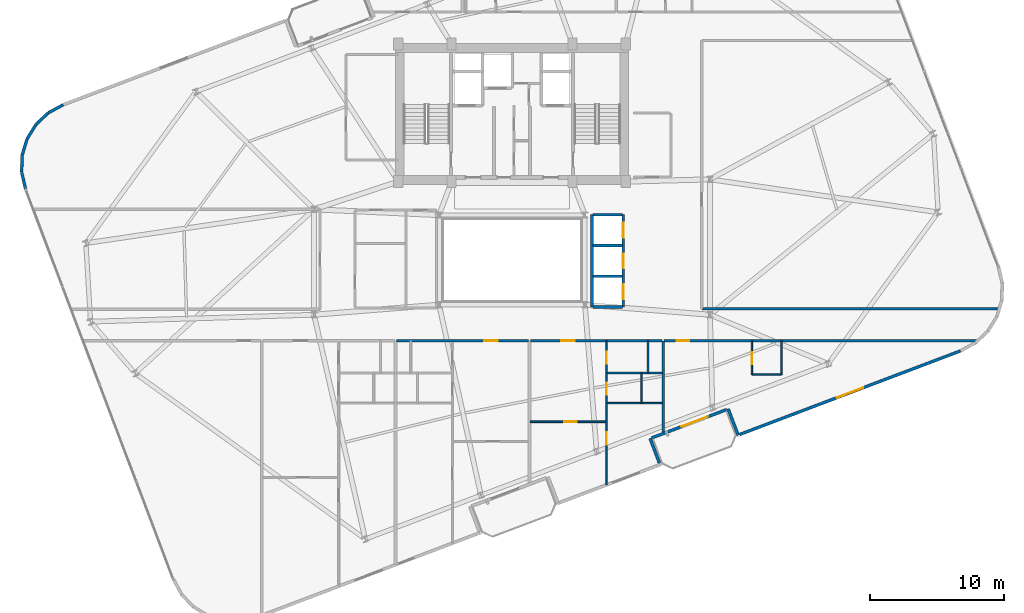
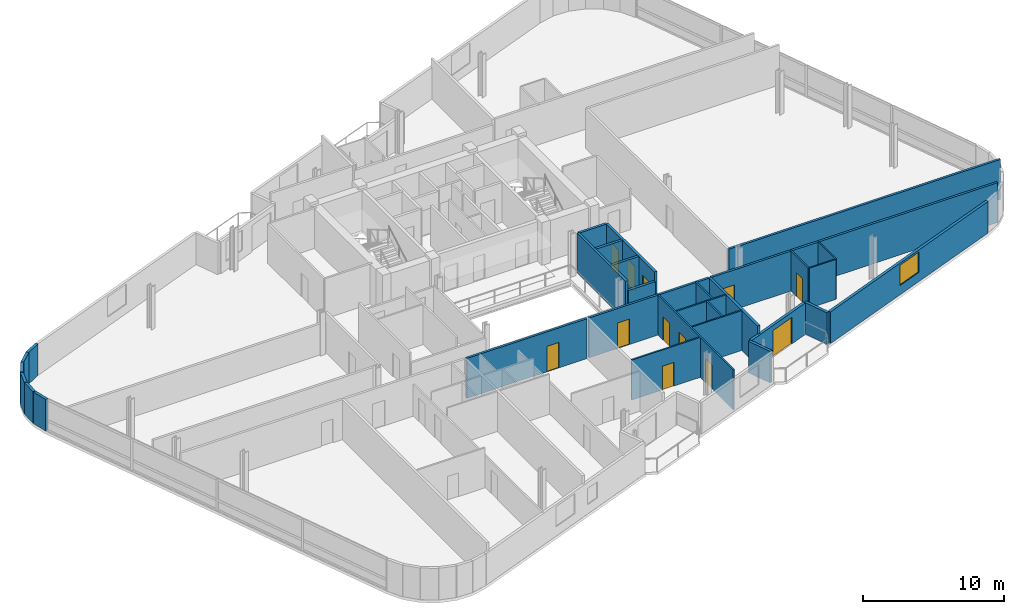
# One storey, part 15 of 20: 30 walls, 12 doors, 1 window, 13 openings.
"""IFC4 building model written with IfcOpenShell, lengths in metres."""

from ifc_helpers import new_model, si_unit, direction, frame, frame_2d, origin, place, context, subcontext, project, spatial, rectangle, extrude, material, layer, layer_set, type_object, element, fill, save


model = new_model("IFC4")

# Units and contexts
model_context = context("Model", 3, precision=1e-05, world=origin(), true_north=direction((0.0, 1.0)))
body_context = subcontext(model_context, "Body", "Model", "MODEL_VIEW")
ifc_project = project(units=[si_unit("LENGTHUNIT", "METRE"), si_unit("AREAUNIT", "SQUARE_METRE"), si_unit("VOLUMEUNIT", "CUBIC_METRE"), si_unit("PLANEANGLEUNIT", "RADIAN"), si_unit("MASSUNIT", "GRAM", prefix="KILO")], contexts=[model_context])

# Site, building, storey
site_placement = place(None, origin())
site = spatial("IfcSite", under=ifc_project, at=site_placement, CompositionType="ELEMENT")
building_placement = place(site_placement, origin())
building = spatial("IfcBuilding", under=site, at=building_placement, Name="Varnelok Gate Tower", CompositionType="ELEMENT")
storey_placement = place(building_placement, frame((0.0, 0.0, 216.39990234375)))
storey = spatial("IfcBuildingStorey", under=building, at=storey_placement, Name="L55", CompositionType="ELEMENT", Elevation=216.39990234375)

# Wall, opening, door
ifc_material_1 = material(Name="Concrete C45/55", Category="concrete")
ifc_layer_1 = layer(ifc_material_1, 0.219970703125)
ifc_layer_set_1 = layer_set([ifc_layer_1], Name="Concrete C45/55")
wall_type_1 = type_object("IfcWallType", Name="EW-BALC-220", PredefinedType="SOLIDWALL", material=ifc_layer_set_1)
wall_1_placement = place(storey_placement, frame((55.25048828125, 11.712646484375, 0.0), z_axis=(0.0, 0.0, 1.0), x_axis=(-0.935227640088, -0.354046976001, 0.0)))
wall_1 = element("IfcWall", 1, at=wall_1_placement, inside=storey, type_object=wall_type_1, Name="L55 South Terrace Envelope Wall 2", PredefinedType="SOLIDWALL", context=body_context, shape_type="SweptSolid", body=[
    extrude(rectangle(XDim=6.0, YDim=0.219970703125, at=frame_2d((3.0, 0.0))), origin(), (0.0, 0.0, 1.0), 2.72998046875),
])
opening_1_placement = place(wall_1_placement, frame((1.51611328125, 0.0, 0.0)))
opening_1 = element("IfcOpeningElement", 2, at=opening_1_placement, cuts=wall_1, Name="Opening BD-2", PredefinedType="OPENING", context=body_context, shape_type="SweptSolid", body=[
    extrude(rectangle(XDim=2.10009765625, YDim=2.300048828125, at=frame_2d((1.050048828125, 1.14990234375))), frame((0.0, 0.119873046875, 0.0), z_axis=(0.0, -1.0, 0.0), x_axis=(1.0, 0.0, 0.0)), (0.0, 0.0, 1.0), 0.239990234375),
])
ifc_material_2 = material(Name="Anodized Aluminum Alloy 6063-T6", Category="aluminium")
door_type_1 = type_object("IfcDoorType", Name="DR-EXT-SLID2100", OperationType="SLIDING_TO_LEFT", PredefinedType="DOOR", material=ifc_material_2)
door_1_placement = place(opening_1_placement, origin())
door_1 = element("IfcDoor", 3, at=door_1_placement, inside=storey, type_object=door_type_1, Name="L55 South Balcony Glazed Door 2", OperationType="SLIDING_TO_LEFT", OverallHeight=2.300048828125, OverallWidth=2.10009765625, PredefinedType="DOOR", context=body_context, shape_type="SweptSolid", body=[
    extrude(rectangle(XDim=2.10009765625, YDim=2.300048828125, at=frame_2d((1.050048828125, 1.14990234375))), frame((0.0, 0.02490234375, 0.0), z_axis=(0.0, -1.0, 0.0), x_axis=(1.0, 0.0, 0.0)), (0.0, 0.0, 1.0), 0.050048828125),
])
fill(opening_1, door_1)

# Walls
wall_2_placement = place(storey_placement, frame((50.22265625, 7.7080078125, 0.0), z_axis=(0.0, 0.0, 1.0), x_axis=(-0.354020680661, 0.935237594232, 0.0)))
element("IfcWall", 4, at=wall_2_placement, inside=storey, type_object=wall_type_1, Name="L55 Perimeter Facade Closure Wall 11", PredefinedType="SOLIDWALL", context=body_context, shape_type="SweptSolid", body=[
    extrude(rectangle(XDim=1.97509765625, YDim=0.219970703125, at=frame_2d((0.987548828125, 0.0))), origin(), (0.0, 0.0, 1.0), 2.72998046875),
])
wall_3_placement = place(storey_placement, frame((55.359130859375, 11.764404296875, 0.0), z_axis=(0.0, 0.0, 1.0), x_axis=(0.354026782794, -0.935235284334, 0.0)))
element("IfcWall", 5, at=wall_3_placement, inside=storey, type_object=wall_type_1, Name="L55 Perimeter Facade Closure Wall 12", PredefinedType="SOLIDWALL", context=body_context, shape_type="SweptSolid", body=[
    extrude(rectangle(XDim=2.099853515625, YDim=0.219970703125, at=frame_2d((1.0498046875, 0.0))), origin(), (0.0, 0.0, 1.0), 2.72998046875),
])

# Wall, opening, window
wall_4_placement = place(storey_placement, frame((56.219482421875, 9.844970703125, 0.0), z_axis=(0.0, 0.0, 1.0), x_axis=(0.935225601791, 0.354052360188, 0.0)))
wall_4 = element("IfcWall", 6, at=wall_4_placement, inside=storey, type_object=wall_type_1, Name="L55 Perimeter Facade Closure Wall 13", PredefinedType="SOLIDWALL", context=body_context, shape_type="SweptSolid", body=[
    extrude(rectangle(XDim=17.647216796875, YDim=0.219970703125, at=frame_2d((8.82373046875, 0.0))), origin(), (0.0, 0.0, 1.0), 2.72998046875),
])
opening_2_placement = place(wall_4_placement, frame((7.773681640625, 0.0, 0.800048828125)))
opening_2 = element("IfcOpeningElement", 7, at=opening_2_placement, cuts=wall_4, Name="Opening WN4", PredefinedType="OPENING", context=body_context, shape_type="SweptSolid", body=[
    extrude(rectangle(XDim=2.10009765625, YDim=1.75, at=frame_2d((1.050048828125, 0.875))), frame((0.0, 0.119873046875, 0.0), z_axis=(0.0, -1.0, 0.0), x_axis=(1.0, 0.0, 0.0)), (0.0, 0.0, 1.0), 0.239990234375),
])
ifc_material_3 = material(Name="Low-E Laminated Double Glazing IGU", Category="glass")
window_type = type_object("IfcWindowType", Name="WN-SUI-2100", PartitioningType="SINGLE_PANEL", PredefinedType="WINDOW", material=ifc_material_3)
window_placement = place(opening_2_placement, origin())
window = element("IfcWindow", 8, at=window_placement, inside=storey, type_object=window_type, Name="L55 Perimeter Vision Window 13", OverallHeight=1.75, OverallWidth=2.10009765625, PartitioningType="SINGLE_PANEL", PredefinedType="WINDOW", context=body_context, shape_type="SweptSolid", body=[
    extrude(rectangle(XDim=2.10009765625, YDim=1.75, at=frame_2d((1.050048828125, 0.875))), frame((0.0, 0.030029296875, 0.0), z_axis=(0.0, -1.0, 0.0), x_axis=(1.0, 0.0, 0.0)), (0.0, 0.0, 1.0), 0.06005859375),
])
fill(opening_2, window)

# Walls
wall_5_placement = place(storey_placement, frame((5.654296875, 34.4951171875, 0.0), z_axis=(0.0, 0.0, 1.0), x_axis=(-0.88098842986, -0.473137809155, 0.0)))
element("IfcWall", 9, at=wall_5_placement, inside=storey, type_object=wall_type_1, Name="L55 Perimeter Facade Closure Wall 33", PredefinedType="SOLIDWALL", context=body_context, shape_type="SweptSolid", body=[
    extrude(rectangle(XDim=1.25634765625, YDim=0.219970703125, at=frame_2d((0.628173828125, 0.0))), origin(), (0.0, 0.0, 1.0), 2.72998046875),
])
wall_6_placement = place(storey_placement, frame((4.529052734375, 33.883544921875, 0.0), z_axis=(0.0, 0.0, 1.0), x_axis=(-0.728475443486, -0.685071914647, 0.0)))
element("IfcWall", 10, at=wall_6_placement, inside=storey, type_object=wall_type_1, Name="L55 Perimeter Facade Closure Wall 34", PredefinedType="SOLIDWALL", context=body_context, shape_type="SweptSolid", body=[
    extrude(rectangle(XDim=1.248779296875, YDim=0.219970703125, at=frame_2d((0.62451171875, 0.0))), origin(), (0.0, 0.0, 1.0), 2.72998046875),
])
wall_7_placement = place(storey_placement, frame((3.606201171875, 33.0068359375, 0.0), z_axis=(0.0, 0.0, 1.0), x_axis=(-0.526408468713, -0.850231806078, 0.0)))
element("IfcWall", 11, at=wall_7_placement, inside=storey, type_object=wall_type_1, Name="L55 Perimeter Facade Closure Wall 35", PredefinedType="SOLIDWALL", context=body_context, shape_type="SweptSolid", body=[
    extrude(rectangle(XDim=1.24853515625, YDim=0.219970703125, at=frame_2d((0.624267578125, 0.0))), origin(), (0.0, 0.0, 1.0), 2.72998046875),
])
wall_8_placement = place(storey_placement, frame((2.941650390625, 31.92138671875, 0.0), z_axis=(0.0, 0.0, 1.0), x_axis=(-0.288352095019, -0.957524448408, 0.0)))
element("IfcWall", 12, at=wall_8_placement, inside=storey, type_object=wall_type_1, Name="L55 Perimeter Facade Closure Wall 36", PredefinedType="SOLIDWALL", context=body_context, shape_type="SweptSolid", body=[
    extrude(rectangle(XDim=1.248779296875, YDim=0.219970703125, at=frame_2d((0.62451171875, 0.0))), origin(), (0.0, 0.0, 1.0), 2.72998046875),
])
wall_9_placement = place(storey_placement, frame((2.580810546875, 30.70068359375, 0.0), z_axis=(0.0, 0.0, 1.0), x_axis=(-0.030697576053, -0.999528718359, 0.0)))
element("IfcWall", 13, at=wall_9_placement, inside=storey, type_object=wall_type_1, Name="L55 Perimeter Facade Closure Wall 37", PredefinedType="SOLIDWALL", context=body_context, shape_type="SweptSolid", body=[
    extrude(rectangle(XDim=1.24853515625, YDim=0.219970703125, at=frame_2d((0.624267578125, 0.0))), origin(), (0.0, 0.0, 1.0), 2.72998046875),
])
wall_10_placement = place(storey_placement, frame((2.548095703125, 29.428466796875, 0.0), z_axis=(0.0, 0.0, 1.0), x_axis=(0.228941257463, -0.973440239887, 0.0)))
element("IfcWall", 14, at=wall_10_placement, inside=storey, type_object=wall_type_1, Name="L55 Perimeter Facade Closure Wall 38", PredefinedType="SOLIDWALL", context=body_context, shape_type="SweptSolid", body=[
    extrude(rectangle(XDim=1.248779296875, YDim=0.219970703125, at=frame_2d((0.62451171875, 0.0))), origin(), (0.0, 0.0, 1.0), 2.72998046875),
])

# Wall, opening, door
ifc_material_4 = material(Name="Gypsum Plasterboard Acoustic Partition", Category="gypsum")
ifc_layer_2 = layer(ifc_material_4, 0.179931640625)
ifc_layer_set_2 = layer_set([ifc_layer_2], Name="Gypsum Plasterboard Acoustic Partition")
wall_type_2 = type_object("IfcWallType", Name="PW-CORR-180", PredefinedType="PARTITIONING", material=ifc_layer_set_2)
wall_11_placement = place(storey_placement, frame((30.580078125, 16.85009765625, 0.0), z_axis=(0.0, 0.0, 1.0), x_axis=(1.0, 0.0, 0.0)))
wall_11 = element("IfcWall", 15, at=wall_11_placement, inside=storey, type_object=wall_type_2, Name="Interior Partition", PredefinedType="PARTITIONING", context=body_context, shape_type="SweptSolid", body=[
    extrude(rectangle(XDim=9.83984375, YDim=0.179931640625, at=frame_2d((4.919921875, 0.0))), origin(), (0.0, 0.0, 1.0), 3.4501953125),
])
opening_3_placement = place(wall_11_placement, frame((6.537353515625, 0.0, 0.0)))
opening_3 = element("IfcOpeningElement", 16, at=opening_3_placement, cuts=wall_11, Name="Opening D-AP", PredefinedType="OPENING", context=body_context, shape_type="SweptSolid", body=[
    extrude(rectangle(XDim=1.0, YDim=2.199951171875, at=frame_2d((0.5, 1.10009765625))), frame((0.0, 0.099853515625, 0.0), z_axis=(0.0, -1.0, 0.0), x_axis=(1.0, 0.0, 0.0)), (0.0, 0.0, 1.0), 0.199951171875),
])
ifc_material_5 = material(Name="Engineered Hardwood Timber", Category="wood")
door_type_2 = type_object("IfcDoorType", Name="DR-APT-1000", OperationType="NOTDEFINED", PredefinedType="DOOR", material=ifc_material_5)
door_2_placement = place(opening_3_placement, origin())
door_2 = element("IfcDoor", 17, at=door_2_placement, inside=storey, type_object=door_type_2, Name="L55 Apartment 3 Entrance Door", OperationType="SINGLE_SWING_RIGHT", OverallHeight=2.199951171875, OverallWidth=1.0, PredefinedType="DOOR", context=body_context, shape_type="SweptSolid", body=[
    extrude(rectangle(XDim=1.0, YDim=2.199951171875, at=frame_2d((0.5, 1.10009765625))), frame((0.0, 0.02490234375, 0.0), z_axis=(0.0, -1.0, 0.0), x_axis=(1.0, 0.0, 0.0)), (0.0, 0.0, 1.0), 0.050048828125),
])
fill(opening_3, door_2)

wall_12_placement = place(storey_placement, frame((40.580078125, 16.85009765625, 0.0), z_axis=(0.0, 0.0, 1.0), x_axis=(1.0, 0.0, 0.0)))
wall_12 = element("IfcWall", 18, at=wall_12_placement, inside=storey, type_object=wall_type_2, Name="Interior Partition", PredefinedType="PARTITIONING", context=body_context, shape_type="SweptSolid", body=[
    extrude(rectangle(XDim=9.83984375, YDim=0.179931640625, at=frame_2d((4.919921875, 0.0))), origin(), (0.0, 0.0, 1.0), 3.4501953125),
])
opening_4_placement = place(wall_12_placement, frame((2.302490234375, 0.0, 0.0)))
opening_4 = element("IfcOpeningElement", 19, at=opening_4_placement, cuts=wall_12, Name="Opening D-AP", PredefinedType="OPENING", context=body_context, shape_type="SweptSolid", body=[
    extrude(rectangle(XDim=1.0, YDim=2.199951171875, at=frame_2d((0.5, 1.10009765625))), frame((0.0, 0.099853515625, 0.0), z_axis=(0.0, -1.0, 0.0), x_axis=(1.0, 0.0, 0.0)), (0.0, 0.0, 1.0), 0.199951171875),
])
door_3_placement = place(opening_4_placement, origin())
door_3 = element("IfcDoor", 20, at=door_3_placement, inside=storey, type_object=door_type_2, Name="L55 Apartment 4 Entrance Door", OperationType="SINGLE_SWING_LEFT", OverallHeight=2.199951171875, OverallWidth=1.0, PredefinedType="DOOR", context=body_context, shape_type="SweptSolid", body=[
    extrude(rectangle(XDim=1.0, YDim=2.199951171875, at=frame_2d((0.5, 1.10009765625))), frame((0.0, 0.02490234375, 0.0), z_axis=(0.0, -1.0, 0.0), x_axis=(1.0, 0.0, 0.0)), (0.0, 0.0, 1.0), 0.050048828125),
])
fill(opening_4, door_3)

wall_13_placement = place(storey_placement, frame((50.580078125, 16.85009765625, 0.0), z_axis=(0.0, 0.0, 1.0), x_axis=(1.0, 0.0, 0.0)))
wall_13 = element("IfcWall", 21, at=wall_13_placement, inside=storey, type_object=wall_type_2, Name="Interior Partition", PredefinedType="PARTITIONING", context=body_context, shape_type="SweptSolid", body=[
    extrude(rectangle(XDim=23.403564453125, YDim=0.179931640625, at=frame_2d((11.70166015625, 0.0))), origin(), (0.0, 0.0, 1.0), 3.4501953125),
])
opening_5_placement = place(wall_13_placement, frame((0.9345703125, 0.0, 0.0)))
opening_5 = element("IfcOpeningElement", 22, at=opening_5_placement, cuts=wall_13, Name="Opening D-HT", PredefinedType="OPENING", context=body_context, shape_type="SweptSolid", body=[
    extrude(rectangle(XDim=0.949951171875, YDim=2.14990234375, at=frame_2d((0.47509765625, 1.074951171875))), frame((0.0, 0.099853515625, 0.0), z_axis=(0.0, -1.0, 0.0), x_axis=(1.0, 0.0, 0.0)), (0.0, 0.0, 1.0), 0.199951171875),
])
door_type_3 = type_object("IfcDoorType", Name="DR-HTL-950", OperationType="NOTDEFINED", PredefinedType="DOOR", material=ifc_material_5)
door_4_placement = place(opening_5_placement, origin())
door_4 = element("IfcDoor", 23, at=door_4_placement, inside=storey, type_object=door_type_3, Name="L55 Guest Room 05 Entrance Door", OperationType="SINGLE_SWING_RIGHT", OverallHeight=2.14990234375, OverallWidth=0.949951171875, PredefinedType="DOOR", context=body_context, shape_type="SweptSolid", body=[
    extrude(rectangle(XDim=0.949951171875, YDim=2.14990234375, at=frame_2d((0.47509765625, 1.074951171875))), frame((0.0, 0.02490234375, 0.0), z_axis=(0.0, -1.0, 0.0), x_axis=(1.0, 0.0, 0.0)), (0.0, 0.0, 1.0), 0.050048828125),
])
fill(opening_5, door_4)

# Walls
wall_14_placement = place(storey_placement, frame((53.389892578125, 19.239990234375, 0.0), z_axis=(0.0, 0.0, 1.0), x_axis=(1.0, 0.0, 0.0)))
element("IfcWall", 24, at=wall_14_placement, inside=storey, type_object=wall_type_2, Name="Interior Partition", PredefinedType="PARTITIONING", context=body_context, shape_type="SweptSolid", body=[
    extrude(rectangle(XDim=22.216552734375, YDim=0.179931640625, at=frame_2d((11.1083984375, 0.0))), origin(), (0.0, 0.0, 1.0), 3.4501953125),
])
ifc_layer_3 = layer(ifc_material_4, 0.114990234375)
ifc_layer_set_3 = layer_set([ifc_layer_3], Name="Gypsum Plasterboard Acoustic Partition")
wall_type_3 = type_object("IfcWallType", Name="PW-ENS-125", PredefinedType="PARTITIONING", material=ifc_layer_set_3)
wall_15_placement = place(storey_placement, frame((46.3251953125, 12.199951171875, 0.0), z_axis=(0.0, 0.0, 1.0), x_axis=(1.0, 0.0, 0.0)))
element("IfcWall", 25, at=wall_15_placement, inside=storey, type_object=wall_type_3, Name="Interior Partition", PredefinedType="PARTITIONING", context=body_context, shape_type="SweptSolid", body=[
    extrude(rectangle(XDim=4.0947265625, YDim=0.114990234375, at=frame_2d((2.04736328125, 0.0))), origin(), (0.0, 0.0, 1.0), 3.4501953125),
])
wall_16_placement = place(storey_placement, frame((48.865234375, 12.199951171875, 0.0), z_axis=(0.0, 0.0, 1.0), x_axis=(0.0, 1.0, 0.0)))
element("IfcWall", 26, at=wall_16_placement, inside=storey, type_object=wall_type_3, Name="Interior Partition", PredefinedType="PARTITIONING", context=body_context, shape_type="SweptSolid", body=[
    extrude(rectangle(XDim=2.239990234375, YDim=0.114990234375, at=frame_2d((1.1201171875, 0.0))), origin(), (0.0, 0.0, 1.0), 3.4501953125),
])
wall_17_placement = place(storey_placement, frame((57.169921875, 14.330078125, 0.0), z_axis=(0.0, 0.0, 1.0), x_axis=(1.0, 0.0, 0.0)))
element("IfcWall", 27, at=wall_17_placement, inside=storey, type_object=wall_type_3, Name="Interior Partition", PredefinedType="PARTITIONING", context=body_context, shape_type="SweptSolid", body=[
    extrude(rectangle(XDim=2.150146484375, YDim=0.114990234375, at=frame_2d((1.0751953125, 0.0))), origin(), (0.0, 0.0, 1.0), 3.4501953125),
])

# Wall, opening, door
wall_18_placement = place(storey_placement, frame((57.1298828125, 14.330078125, 0.0), z_axis=(0.0, 0.0, 1.0), x_axis=(0.0, 1.0, 0.0)))
wall_18 = element("IfcWall", 28, at=wall_18_placement, inside=storey, type_object=wall_type_3, Name="Interior Partition", PredefinedType="PARTITIONING", context=body_context, shape_type="SweptSolid", body=[
    extrude(rectangle(XDim=2.52001953125, YDim=0.114990234375, at=frame_2d((1.260009765625, 0.0))), origin(), (0.0, 0.0, 1.0), 3.4501953125),
])
opening_6_placement = place(wall_18_placement, frame((0.760009765625, 0.0, 0.0)))
opening_6 = element("IfcOpeningElement", 29, at=opening_6_placement, cuts=wall_18, Name="Opening D-WC", PredefinedType="OPENING", context=body_context, shape_type="SweptSolid", body=[
    extrude(rectangle(XDim=0.89990234375, YDim=2.050048828125, at=frame_2d((0.449951171875, 1.02490234375))), frame((0.0, 0.0673828125, 0.0), z_axis=(0.0, -1.0, 0.0), x_axis=(1.0, 0.0, 0.0)), (0.0, 0.0, 1.0), 0.135009765625),
])
door_type_4 = type_object("IfcDoorType", Name="DR-BATH-900", OperationType="NOTDEFINED", PredefinedType="DOOR", material=ifc_material_5)
door_5_placement = place(opening_6_placement, origin())
door_5 = element("IfcDoor", 30, at=door_5_placement, inside=storey, type_object=door_type_4, Name="L55 Guest En-Suite 05 Door", OperationType="SINGLE_SWING_RIGHT", OverallHeight=2.050048828125, OverallWidth=0.89990234375, PredefinedType="DOOR", context=body_context, shape_type="SweptSolid", body=[
    extrude(rectangle(XDim=0.89990234375, YDim=2.050048828125, at=frame_2d((0.449951171875, 1.02490234375))), frame((0.0, 0.02490234375, 0.0), z_axis=(0.0, -1.0, 0.0), x_axis=(1.0, 0.0, 0.0)), (0.0, 0.0, 1.0), 0.050048828125),
])
fill(opening_6, door_5)

# Wall
wall_19_placement = place(storey_placement, frame((59.360107421875, 14.330078125, 0.0), z_axis=(0.0, 0.0, 1.0), x_axis=(0.0, 1.0, 0.0)))
element("IfcWall", 31, at=wall_19_placement, inside=storey, type_object=wall_type_3, Name="Interior Partition", PredefinedType="PARTITIONING", context=body_context, shape_type="SweptSolid", body=[
    extrude(rectangle(XDim=2.52001953125, YDim=0.114990234375, at=frame_2d((1.260009765625, 0.0))), origin(), (0.0, 0.0, 1.0), 3.4501953125),
])

# Wall, opening, door
ifc_layer_4 = layer(ifc_material_4, 0.125)
ifc_layer_set_4 = layer_set([ifc_layer_4], Name="Gypsum Plasterboard Acoustic Partition")
wall_type_4 = type_object("IfcWallType", Name="PW-PART-125", PredefinedType="PARTITIONING", material=ifc_layer_set_4)
wall_20_placement = place(storey_placement, frame((40.580078125, 10.8017578125, 0.0), z_axis=(0.0, 0.0, 1.0), x_axis=(1.0, 0.0, 0.0)))
wall_20 = element("IfcWall", 32, at=wall_20_placement, inside=storey, type_object=wall_type_4, Name="Interior Partition", PredefinedType="PARTITIONING", context=body_context, shape_type="SweptSolid", body=[
    extrude(rectangle(XDim=5.605224609375, YDim=0.125, at=frame_2d((2.802734375, 0.0))), origin(), (0.0, 0.0, 1.0), 3.4501953125),
])
opening_7_placement = place(wall_20_placement, frame((2.522216796875, 0.0, 0.0)))
opening_7 = element("IfcOpeningElement", 33, at=opening_7_placement, cuts=wall_20, Name="Opening D-I3", PredefinedType="OPENING", context=body_context, shape_type="SweptSolid", body=[
    extrude(rectangle(XDim=0.919921875, YDim=2.050048828125, at=frame_2d((0.4599609375, 1.02490234375))), frame((0.0, 0.072509765625, 0.0), z_axis=(0.0, -1.0, 0.0), x_axis=(1.0, 0.0, 0.0)), (0.0, 0.0, 1.0), 0.14501953125),
])
door_type_5 = type_object("IfcDoorType", Name="DR-INT-920", OperationType="NOTDEFINED", PredefinedType="DOOR", material=ifc_material_5)
door_6_placement = place(opening_7_placement, origin())
door_6 = element("IfcDoor", 34, at=door_6_placement, inside=storey, type_object=door_type_5, Name="L55 Apartment 4 Study Door", OperationType="SINGLE_SWING_LEFT", OverallHeight=2.050048828125, OverallWidth=0.919921875, PredefinedType="DOOR", context=body_context, shape_type="SweptSolid", body=[
    extrude(rectangle(XDim=0.919921875, YDim=2.050048828125, at=frame_2d((0.4599609375, 1.02490234375))), frame((0.0, 0.02490234375, 0.0), z_axis=(0.0, -1.0, 0.0), x_axis=(1.0, 0.0, 0.0)), (0.0, 0.0, 1.0), 0.050048828125),
])
fill(opening_7, door_6)

# Wall, openings, doors
wall_21_placement = place(storey_placement, frame((46.255126953125, 6.093994140625, 0.0), z_axis=(0.0, 0.0, 1.0), x_axis=(0.0, 1.0, 0.0)))
wall_21 = element("IfcWall", 35, at=wall_21_placement, inside=storey, type_object=wall_type_4, Name="Interior Partition", PredefinedType="PARTITIONING", context=body_context, shape_type="SweptSolid", body=[
    extrude(rectangle(XDim=10.756103515625, YDim=0.125, at=frame_2d((5.3779296875, 0.0))), origin(), (0.0, 0.0, 1.0), 3.4501953125),
])
opening_8_placement = place(wall_21_placement, frame((3.00341796875, 0.0, 0.0)))
opening_8 = element("IfcOpeningElement", 36, at=opening_8_placement, cuts=wall_21, Name="Opening D-I3", PredefinedType="OPENING", context=body_context, shape_type="SweptSolid", body=[
    extrude(rectangle(XDim=0.919921875, YDim=2.050048828125, at=frame_2d((0.4599609375, 1.02490234375))), frame((0.0, 0.072509765625, 0.0), z_axis=(0.0, -1.0, 0.0), x_axis=(1.0, 0.0, 0.0)), (0.0, 0.0, 1.0), 0.14501953125),
])
opening_9_placement = place(wall_21_placement, frame((6.7333984375, 0.0, 0.0)))
opening_9 = element("IfcOpeningElement", 37, at=opening_9_placement, cuts=wall_21, Name="Opening D-WC", PredefinedType="OPENING", context=body_context, shape_type="SweptSolid", body=[
    extrude(rectangle(XDim=0.89990234375, YDim=2.050048828125, at=frame_2d((0.449951171875, 1.02490234375))), frame((0.0, 0.072509765625, 0.0), z_axis=(0.0, -1.0, 0.0), x_axis=(1.0, 0.0, 0.0)), (0.0, 0.0, 1.0), 0.14501953125),
])
opening_10_placement = place(wall_21_placement, frame((9.026123046875, 0.0, 0.0)))
opening_10 = element("IfcOpeningElement", 38, at=opening_10_placement, cuts=wall_21, Name="Opening D-I3", PredefinedType="OPENING", context=body_context, shape_type="SweptSolid", body=[
    extrude(rectangle(XDim=0.919921875, YDim=2.050048828125, at=frame_2d((0.4599609375, 1.02490234375))), frame((0.0, 0.072509765625, 0.0), z_axis=(0.0, -1.0, 0.0), x_axis=(1.0, 0.0, 0.0)), (0.0, 0.0, 1.0), 0.14501953125),
])
door_7_placement = place(opening_9_placement, origin())
door_7 = element("IfcDoor", 39, at=door_7_placement, inside=storey, type_object=door_type_4, Name="L55 Apartment 4 Bathroom Door", OperationType="SINGLE_SWING_LEFT", OverallHeight=2.050048828125, OverallWidth=0.89990234375, PredefinedType="DOOR", context=body_context, shape_type="SweptSolid", body=[
    extrude(rectangle(XDim=0.89990234375, YDim=2.050048828125, at=frame_2d((0.449951171875, 1.02490234375))), frame((0.0, 0.02490234375, 0.0), z_axis=(0.0, -1.0, 0.0), x_axis=(1.0, 0.0, 0.0)), (0.0, 0.0, 1.0), 0.050048828125),
])
fill(opening_9, door_7)
door_8_placement = place(opening_8_placement, origin())
door_8 = element("IfcDoor", 40, at=door_8_placement, inside=storey, type_object=door_type_5, Name="L55 Apartment 4 Bedroom Door", OperationType="SINGLE_SWING_RIGHT", OverallHeight=2.050048828125, OverallWidth=0.919921875, PredefinedType="DOOR", context=body_context, shape_type="SweptSolid", body=[
    extrude(rectangle(XDim=0.919921875, YDim=2.050048828125, at=frame_2d((0.4599609375, 1.02490234375))), frame((0.0, 0.02490234375, 0.0), z_axis=(0.0, -1.0, 0.0), x_axis=(1.0, 0.0, 0.0)), (0.0, 0.0, 1.0), 0.050048828125),
])
fill(opening_8, door_8)
door_9_placement = place(opening_10_placement, origin())
door_9 = element("IfcDoor", 41, at=door_9_placement, inside=storey, type_object=door_type_5, Name="L55 Apartment 4 Kitchen Door", OperationType="SINGLE_SWING_RIGHT", OverallHeight=2.050048828125, OverallWidth=0.919921875, PredefinedType="DOOR", context=body_context, shape_type="SweptSolid", body=[
    extrude(rectangle(XDim=0.919921875, YDim=2.050048828125, at=frame_2d((0.4599609375, 1.02490234375))), frame((0.0, 0.02490234375, 0.0), z_axis=(0.0, -1.0, 0.0), x_axis=(1.0, 0.0, 0.0)), (0.0, 0.0, 1.0), 0.050048828125),
])
fill(opening_10, door_9)

# Walls
wall_22_placement = place(storey_placement, frame((46.3251953125, 14.43994140625, 0.0), z_axis=(0.0, 0.0, 1.0), x_axis=(1.0, 0.0, 0.0)))
element("IfcWall", 42, at=wall_22_placement, inside=storey, type_object=wall_type_4, Name="Interior Partition", PredefinedType="PARTITIONING", context=body_context, shape_type="SweptSolid", body=[
    extrude(rectangle(XDim=4.0947265625, YDim=0.125, at=frame_2d((2.04736328125, 0.0))), origin(), (0.0, 0.0, 1.0), 3.4501953125),
])
wall_23_placement = place(storey_placement, frame((49.365234375, 14.43994140625, 0.0), z_axis=(0.0, 0.0, 1.0), x_axis=(0.0, 1.0, 0.0)))
element("IfcWall", 43, at=wall_23_placement, inside=storey, type_object=wall_type_4, Name="Interior Partition", PredefinedType="PARTITIONING", context=body_context, shape_type="SweptSolid", body=[
    extrude(rectangle(XDim=2.41015625, YDim=0.125, at=frame_2d((1.205078125, 0.0))), origin(), (0.0, 0.0, 1.0), 3.4501953125),
])
ifc_layer_5 = layer(ifc_material_4, 0.205078125)
ifc_layer_set_5 = layer_set([ifc_layer_5], Name="Gypsum Plasterboard Acoustic Partition")
wall_type_5 = type_object("IfcWallType", Name="PW-PARTY-200", PredefinedType="PARTITIONING", material=ifc_layer_set_5)
wall_24_placement = place(storey_placement, frame((50.5, 9.9462890625, 0.0), z_axis=(0.0, 0.0, 1.0), x_axis=(0.0, 1.0, 0.0)))
element("IfcWall", 44, at=wall_24_placement, inside=storey, type_object=wall_type_5, Name="L55 South Party Wall 4", PredefinedType="PARTITIONING", context=body_context, shape_type="SweptSolid", body=[
    extrude(rectangle(XDim=6.90380859375, YDim=0.205078125, at=frame_2d((3.451904296875, 0.0))), origin(), (0.0, 0.0, 1.0), 3.4501953125),
])
ifc_material_6 = material(Name="Concrete C35/45", Category="concrete")
ifc_layer_6 = layer(ifc_material_6, 0.199951171875)
ifc_layer_set_6 = layer_set([ifc_layer_6], Name="Concrete C35/45")
wall_type_6 = type_object("IfcWallType", Name="PW-SHAFT-200", PredefinedType="PARTITIONING", material=ifc_layer_set_6)
for number, where, z_axis, x_axis, name in (
    (45, (45.239990234375, 21.675048828125, 0.0), (0.0, 0.0, 1.0), (1.0, 0.0, 0.0), "L55 PH1 Divider"),
    (46, (45.239990234375, 23.97509765625, 0.0), (0.0, 0.0, 1.0), (1.0, 0.0, 0.0), "L55 PH2 Divider"),
):
    element("IfcWall", number, at=place(storey_placement, frame(where, z_axis=z_axis, x_axis=x_axis)), inside=storey, type_object=wall_type_6, Name=name, PredefinedType="PARTITIONING", context=body_context, shape_type="SweptSolid", body=[
        extrude(rectangle(XDim=2.219970703125, YDim=0.199951171875, at=frame_2d((1.10986328125, 0.0))), origin(), (0.0, 0.0, 1.0), 3.4501953125),
    ])
wall_25_placement = place(storey_placement, frame((45.239990234375, 19.3798828125, 0.0), z_axis=(0.0, 0.0, 1.0), x_axis=(1.0, 0.0, 0.0)))
element("IfcWall", 47, at=wall_25_placement, inside=storey, type_object=wall_type_6, Name="L55 PH Bank South Wall", PredefinedType="PARTITIONING", context=body_context, shape_type="SweptSolid", body=[
    extrude(rectangle(XDim=2.219970703125, YDim=0.199951171875, at=frame_2d((1.10986328125, 0.0))), origin(), (0.0, 0.0, 1.0), 2.662109375),
])
wall_26_placement = place(storey_placement, frame((45.239990234375, 26.280029296875, 0.0), z_axis=(0.0, 0.0, 1.0), x_axis=(1.0, 0.0, 0.0)))
element("IfcWall", 48, at=wall_26_placement, inside=storey, type_object=wall_type_6, Name="L55 PH Bank North Wall", PredefinedType="PARTITIONING", context=body_context, shape_type="SweptSolid", body=[
    extrude(rectangle(XDim=2.219970703125, YDim=0.199951171875, at=frame_2d((1.10986328125, 0.0))), origin(), (0.0, 0.0, 1.0), 3.4501953125),
])
wall_27_placement = place(storey_placement, frame((45.179931640625, 19.3798828125, 0.0), z_axis=(0.0, 0.0, 1.0), x_axis=(0.0, 1.0, 0.0)))
element("IfcWall", 49, at=wall_27_placement, inside=storey, type_object=wall_type_6, Name="L55 PH Bank Atrium Wall", PredefinedType="PARTITIONING", context=body_context, shape_type="SweptSolid", body=[
    extrude(rectangle(XDim=6.900146484375, YDim=0.199951171875, at=frame_2d((3.4501953125, 0.0))), origin(), (0.0, 0.0, 1.0), 3.4501953125),
])

# Wall, openings, doors
wall_28_placement = place(storey_placement, frame((47.52001953125, 19.3798828125, 0.0), z_axis=(0.0, 0.0, 1.0), x_axis=(0.0, 1.0, 0.0)))
wall_28 = element("IfcWall", 50, at=wall_28_placement, inside=storey, type_object=wall_type_6, Name="L55 PH Bank Front Wall", PredefinedType="PARTITIONING", context=body_context, shape_type="SweptSolid", body=[
    extrude(rectangle(XDim=6.900146484375, YDim=0.199951171875, at=frame_2d((3.4501953125, 0.0))), origin(), (0.0, 0.0, 1.0), 3.4501953125),
])
opening_11_placement = place(wall_28_placement, frame((0.590087890625, 0.0, 0.0)))
opening_11 = element("IfcOpeningElement", 51, at=opening_11_placement, cuts=wall_28, Name="Opening LD-PH1", PredefinedType="OPENING", context=body_context, shape_type="SweptSolid", body=[
    extrude(rectangle(XDim=1.10009765625, YDim=2.14990234375, at=frame_2d((0.550048828125, 1.074951171875))), frame((0.0, 0.10986328125, 0.0), z_axis=(0.0, -1.0, 0.0), x_axis=(1.0, 0.0, 0.0)), (0.0, 0.0, 1.0), 0.219970703125),
])
opening_12_placement = place(wall_28_placement, frame((2.889892578125, 0.0, 0.0)))
opening_12 = element("IfcOpeningElement", 52, at=opening_12_placement, cuts=wall_28, Name="Opening LD-PH2", PredefinedType="OPENING", context=body_context, shape_type="SweptSolid", body=[
    extrude(rectangle(XDim=1.10009765625, YDim=2.14990234375, at=frame_2d((0.550048828125, 1.074951171875))), frame((0.0, 0.10986328125, 0.0), z_axis=(0.0, -1.0, 0.0), x_axis=(1.0, 0.0, 0.0)), (0.0, 0.0, 1.0), 0.219970703125),
])
opening_13_placement = place(wall_28_placement, frame((5.18994140625, 0.0, 0.0)))
opening_13 = element("IfcOpeningElement", 53, at=opening_13_placement, cuts=wall_28, Name="Opening LD-PH3", PredefinedType="OPENING", context=body_context, shape_type="SweptSolid", body=[
    extrude(rectangle(XDim=1.10009765625, YDim=2.14990234375, at=frame_2d((0.550048828125, 1.074951171875))), frame((0.0, 0.10986328125, 0.0), z_axis=(0.0, -1.0, 0.0), x_axis=(1.0, 0.0, 0.0)), (0.0, 0.0, 1.0), 0.219970703125),
])
ifc_material_7 = material(Name="Galvanized Steel Grade S350GD", Category="steel")
door_type_6 = type_object("IfcDoorType", Name="DR-LIFT-PAX1100", OperationType="SLIDING_TO_LEFT", PredefinedType="DOOR", material=ifc_material_7)
door_10_placement = place(opening_11_placement, origin())
door_10 = element("IfcDoor", 54, at=door_10_placement, inside=storey, type_object=door_type_6, Name="L55 Passenger Lift Landing Door LD-PH1", OperationType="SLIDING_TO_LEFT", OverallHeight=2.14990234375, OverallWidth=1.10009765625, PredefinedType="DOOR", context=body_context, shape_type="SweptSolid", body=[
    extrude(rectangle(XDim=1.10009765625, YDim=2.14990234375, at=frame_2d((0.550048828125, 1.074951171875))), frame((0.0, 0.02490234375, 0.0), z_axis=(0.0, -1.0, 0.0), x_axis=(1.0, 0.0, 0.0)), (0.0, 0.0, 1.0), 0.050048828125),
])
fill(opening_11, door_10)
door_11_placement = place(opening_12_placement, origin())
door_11 = element("IfcDoor", 55, at=door_11_placement, inside=storey, type_object=door_type_6, Name="L55 Passenger Lift Landing Door LD-PH2", OperationType="SLIDING_TO_LEFT", OverallHeight=2.14990234375, OverallWidth=1.10009765625, PredefinedType="DOOR", context=body_context, shape_type="SweptSolid", body=[
    extrude(rectangle(XDim=1.10009765625, YDim=2.14990234375, at=frame_2d((0.550048828125, 1.074951171875))), frame((0.0, 0.02490234375, 0.0), z_axis=(0.0, -1.0, 0.0), x_axis=(1.0, 0.0, 0.0)), (0.0, 0.0, 1.0), 0.050048828125),
])
fill(opening_12, door_11)
door_12_placement = place(opening_13_placement, origin())
door_12 = element("IfcDoor", 56, at=door_12_placement, inside=storey, type_object=door_type_6, Name="L55 Passenger Lift Landing Door LD-PH3", OperationType="SLIDING_TO_LEFT", OverallHeight=2.14990234375, OverallWidth=1.10009765625, PredefinedType="DOOR", context=body_context, shape_type="SweptSolid", body=[
    extrude(rectangle(XDim=1.10009765625, YDim=2.14990234375, at=frame_2d((0.550048828125, 1.074951171875))), frame((0.0, 0.02490234375, 0.0), z_axis=(0.0, -1.0, 0.0), x_axis=(1.0, 0.0, 0.0)), (0.0, 0.0, 1.0), 0.050048828125),
])
fill(opening_13, door_12)

save(model, "model.ifc")
